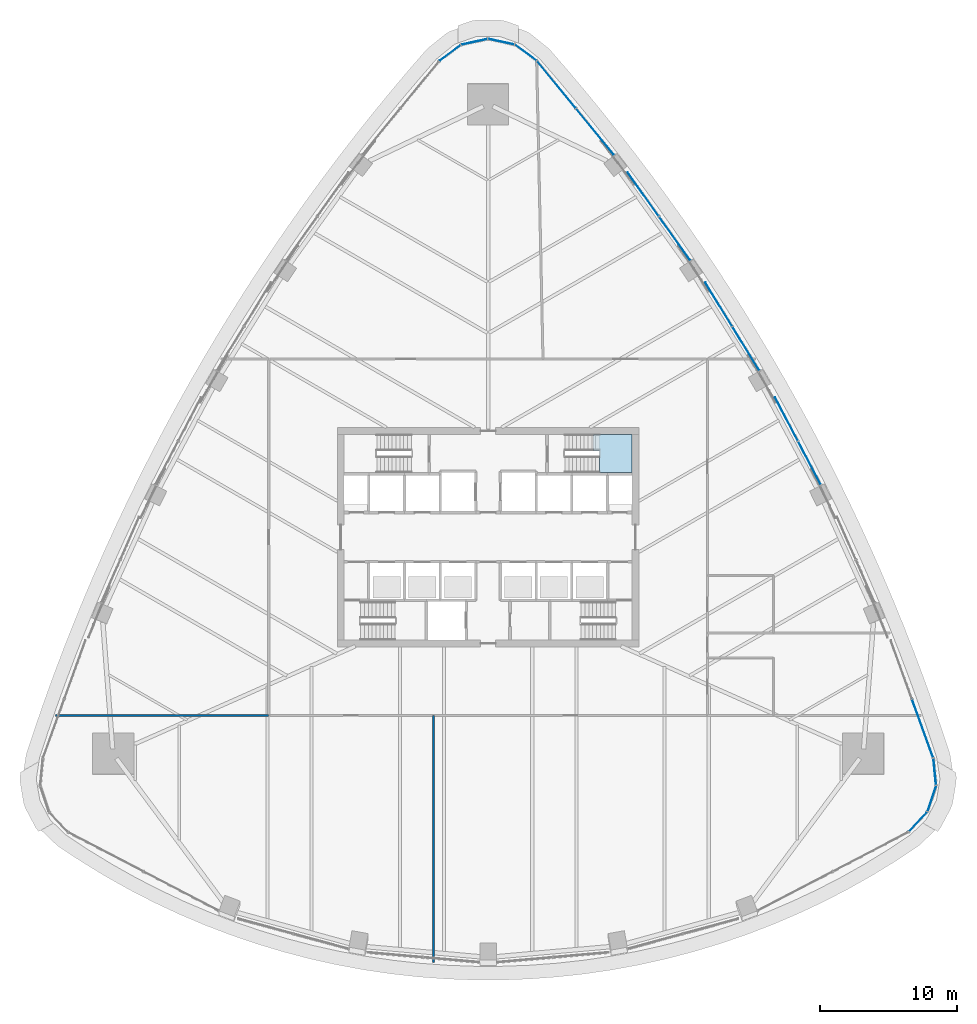
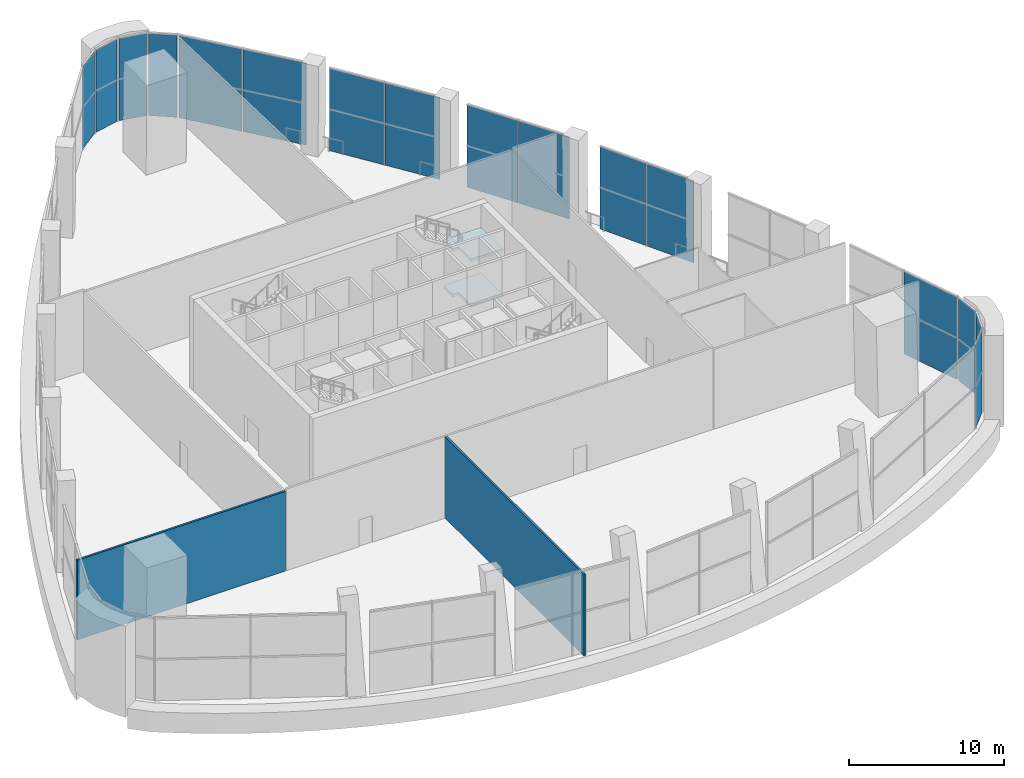
# One storey, part 12 of 23: 16 plates, 2 slabs, 2 walls, 13 elements without a shape of their own.
"""IFC4 building model written with IfcOpenShell, lengths in metres."""

import ifcopenshell
import ifcopenshell.guid

model = None  # the IFC model being written
_history = None  # IfcOwnerHistory: only IFC2X3 demands one
_inside = {}  # id of a spatial element -> (the spatial element, [elements in it])
_under = {}  # id of a project, library or spatial element -> (it, [spatial elements below it])
_declared = {}  # id of a project -> (the project, [libraries it declares])
_typed = {}  # id of a type object -> (the type object, [elements of that type])
_made_of = {}  # id of a material, layer set ... -> (it, [elements and type objects made of it])


def new_model(schema):
    """Start an empty IFC model of exactly this schema.

    Asked for "IFC4X3", IfcOpenShell would pick the latest addendum, in which some entities
    have other attributes; the version numbers below select the first issue.
    IFC2X3 requires an IfcOwnerHistory on every rooted entity: one is made here for all.
    """
    global model, _history
    if schema == "IFC4X3":
        model = ifcopenshell.file(schema_version=(4, 3, 0, 0))
    else:
        model = ifcopenshell.file(schema=schema)
    _inside.clear()
    _under.clear()
    _declared.clear()
    _typed.clear()
    _made_of.clear()
    _history = None
    if model.schema == "IFC2X3":
        org = make("IfcOrganization", Name="unknown")
        user = make(
            "IfcPersonAndOrganization",
            ThePerson=make("IfcPerson", FamilyName="unknown"),
            TheOrganization=org,
        )
        app = make(
            "IfcApplication",
            ApplicationDeveloper=org,
            Version="unknown",
            ApplicationFullName="unknown",
            ApplicationIdentifier="unknown",
        )
        _history = make(
            "IfcOwnerHistory",
            OwningUser=user,
            OwningApplication=app,
            ChangeAction="ADDED",
            CreationDate=0,
        )
    return model


def make(cls, **values):
    """One entity of the class cls with the attributes given. An attribute that is None is left unset."""
    return model.create_entity(
        cls, **{name: value for name, value in values.items() if value is not None}
    )


def rooted(cls, **values):
    """An entity with a GlobalId (a new one), such as an element, a storey or a relation."""
    return make(cls, GlobalId=ifcopenshell.guid.new(), OwnerHistory=_history, **values)


def si_unit(unit_type, name, prefix=None):
    """IfcSIUnit, for example si_unit("LENGTHUNIT", "METRE", prefix="MILLI")."""
    return make("IfcSIUnit", UnitType=unit_type, Prefix=prefix, Name=name)


def assignment(units):
    """IfcUnitAssignment: the units of a project."""
    return None if units is None else make("IfcUnitAssignment", Units=units)


def point(xyz):
    """IfcCartesianPoint."""
    return None if xyz is None else make("IfcCartesianPoint", Coordinates=xyz)


def direction(xyz):
    """IfcDirection."""
    return None if xyz is None else make("IfcDirection", DirectionRatios=xyz)


def frame(location, z_axis=None, x_axis=None):
    """IfcAxis2Placement3D, a coordinate frame: its origin and axes. An axis left out is left unset."""
    return make(
        "IfcAxis2Placement3D",
        Location=point(location),
        Axis=direction(z_axis),
        RefDirection=direction(x_axis),
    )


def frame_2d(location, x_axis=None):
    """IfcAxis2Placement2D, a coordinate frame in the plane: its origin and x axis."""
    return make(
        "IfcAxis2Placement2D", Location=point(location), RefDirection=direction(x_axis)
    )


def origin():
    """The frame at (0, 0, 0) with its axes left unset."""
    return frame((0.0, 0.0, 0.0))


def origin_2d():
    """The frame at (0, 0) in the plane with its x axis left unset."""
    return frame_2d((0.0, 0.0))


def place(relative_to, where):
    """IfcLocalPlacement: puts the frame where relative to a parent placement (None: the world)."""
    return make(
        "IfcLocalPlacement", PlacementRelTo=relative_to, RelativePlacement=where
    )


def context(
    kind, dimensions, precision=None, world=None, true_north=None, identifier=None
):
    """IfcGeometricRepresentationContext, for example the 3D "Model" context."""
    return make(
        "IfcGeometricRepresentationContext",
        ContextIdentifier=identifier,
        ContextType=kind,
        CoordinateSpaceDimension=dimensions,
        Precision=precision,
        WorldCoordinateSystem=world,
        TrueNorth=true_north,
    )


def subcontext(parent, identifier, kind, view, scale=None):
    """IfcGeometricRepresentationSubContext, for example "Body" below "Model"."""
    return make(
        "IfcGeometricRepresentationSubContext",
        ContextIdentifier=identifier,
        ContextType=kind,
        ParentContext=parent,
        TargetScale=scale,
        TargetView=view,
    )


def project(units=None, contexts=None):
    """IfcProject with its units and contexts."""
    return rooted(
        "IfcProject",
        Name="project",
        RepresentationContexts=contexts,
        UnitsInContext=assignment(units),
    )


def spatial(cls, under=None, at=None, **own):
    """A site, building, storey or space (cls), placed at a placement, below another one or the project."""
    s = rooted(cls, ObjectPlacement=at, **own)
    if under is not None:
        _under.setdefault(under.id(), (under, []))[1].append(s)
    return s


def polyline(points):
    """IfcPolyline through the points."""
    return make("IfcPolyline", Points=[point(p) for p in points])


def profile(cls, at=None, kind="AREA", **sizes):
    """A parametric profile (cls). Its sizes go by their IFC names, for example OverallWidth=200.0."""
    return make(cls, ProfileType=kind, Position=at, **sizes)


def rectangle(**sizes):
    """IfcRectangleProfileDef."""
    return profile("IfcRectangleProfileDef", **sizes)


def outline(outer, holes=None, kind="AREA"):
    """IfcArbitraryClosedProfileDef: a profile drawn as a closed curve; with holes, ...WithVoids."""
    if holes is None:
        return make("IfcArbitraryClosedProfileDef", ProfileType=kind, OuterCurve=outer)
    return make(
        "IfcArbitraryProfileDefWithVoids",
        ProfileType=kind,
        OuterCurve=outer,
        InnerCurves=holes,
    )


def extrude(swept, where, along, depth):
    """IfcExtrudedAreaSolid: the profile swept, set in the frame where, extruded along a direction by depth."""
    return make(
        "IfcExtrudedAreaSolid",
        SweptArea=swept,
        Position=where,
        ExtrudedDirection=direction(along),
        Depth=depth,
    )


def shape(context_of_items, identifier, shape_type, items):
    """IfcShapeRepresentation: the items that make up one representation, for example the "Body"."""
    return make(
        "IfcShapeRepresentation",
        ContextOfItems=context_of_items,
        RepresentationIdentifier=identifier,
        RepresentationType=shape_type,
        Items=items,
    )


def material(Name=None, Category=None):
    """IfcMaterial."""
    return make("IfcMaterial", Name=Name, Category=Category)


def layer(
    of_material, thickness, ventilated=None, Name=None, Category=None, Priority=None
):
    """IfcMaterialLayer: one layer of a wall or slab, of a material (None: an air gap)."""
    return make(
        "IfcMaterialLayer",
        Material=of_material,
        LayerThickness=thickness,
        IsVentilated=ventilated,
        Name=Name,
        Category=Category,
        Priority=Priority,
    )


def layer_set(layers, Name=None):
    """IfcMaterialLayerSet."""
    return make("IfcMaterialLayerSet", MaterialLayers=layers, LayerSetName=Name)


def made_of(thing, what):
    """Note that an element or type object is made of a material, layer set ...; save() writes the relation."""
    if what is not None:
        _made_of.setdefault(what.id(), (what, []))[1].append(thing)
    return thing


def type_object(cls, material=None, **own):
    """A type object (cls), such as IfcWallType, which elements share."""
    return made_of(rooted(cls, **own), material)


def element(
    cls,
    number,
    at=None,
    inside=None,
    cuts=None,
    type_object=None,
    material=None,
    context=None,
    identifier="Body",
    shape_type=None,
    held_by="IfcProductDefinitionShape",
    body=None,
    shapes=None,
    **own,
):
    """One element of the class cls, such as IfcWall. Its Tag is "e" and its number.

    at: its placement. inside: the storey or other place that contains it. cuts: it is an
    opening in that element (IfcRelVoidsElement). A single representation is given by context,
    identifier, shape_type and body (its items); several are given by shapes. held_by: the class
    of the entity that holds the representations. save() writes the other relations.
    """
    e = rooted(cls, Tag="e%d" % number, ObjectPlacement=at, **own)
    if body is not None:
        shapes = [shape(context, identifier, shape_type, body)]
    if shapes is not None:
        e.Representation = make(held_by, Representations=shapes)
    if inside is not None:
        _inside.setdefault(inside.id(), (inside, []))[1].append(e)
    if cuts is not None:
        rooted(
            "IfcRelVoidsElement", RelatingBuildingElement=cuts, RelatedOpeningElement=e
        )
    if type_object is not None:
        _typed.setdefault(type_object.id(), (type_object, []))[1].append(e)
    return made_of(e, material)


def aggregate(whole, parts):
    """IfcRelAggregates: a whole, such as a stair, and the parts it consists of."""
    return rooted("IfcRelAggregates", RelatingObject=whole, RelatedObjects=parts)


def save(model, path):
    """Write the relations noted so far, then the file.

    IfcRelAggregates (storeys below a building ...), IfcRelContainedInSpatialStructure (elements
    in a storey), IfcRelDefinesByType, IfcRelAssociatesMaterial and IfcRelDeclares: one each for
    every whole, place, type object, material and project.
    """
    for whole, parts in _under.values():
        aggregate(whole, parts)
    for where, things in _inside.values():
        rooted(
            "IfcRelContainedInSpatialStructure",
            RelatedElements=things,
            RelatingStructure=where,
        )
    for kind, things in _typed.values():
        rooted("IfcRelDefinesByType", RelatedObjects=things, RelatingType=kind)
    for what, things in _made_of.values():
        rooted("IfcRelAssociatesMaterial", RelatedObjects=things, RelatingMaterial=what)
    for by, libraries in _declared.values():
        rooted("IfcRelDeclares", RelatingContext=by, RelatedDefinitions=libraries)
    model.write(path)


model = new_model("IFC4")

# Units and contexts
model_context = context("Model", 3, precision=1e-05, world=origin(), true_north=direction((0.0, 1.0)))
body_context = subcontext(model_context, "Body", "Model", "MODEL_VIEW")
ifc_project = project(units=[si_unit("LENGTHUNIT", "METRE"), si_unit("AREAUNIT", "SQUARE_METRE"), si_unit("VOLUMEUNIT", "CUBIC_METRE"), si_unit("PLANEANGLEUNIT", "RADIAN"), si_unit("MASSUNIT", "GRAM", prefix="KILO")], contexts=[model_context])

# Site, building, storey
site_placement = place(None, origin())
site = spatial("IfcSite", under=ifc_project, at=site_placement, CompositionType="ELEMENT")
building_placement = place(site_placement, origin())
building = spatial("IfcBuilding", under=site, at=building_placement, Name="Sierra Prisma Convention Tower", CompositionType="ELEMENT")
storey_placement = place(building_placement, frame((0.0, 0.0, 40.800048828125)))
storey = spatial("IfcBuildingStorey", under=building, at=storey_placement, Name="L06", CompositionType="ELEMENT", Elevation=40.800048828125)

# Curtain wall, plate
ifc_material_1 = material(Name="Aluminium and glass curtain wall", Category="aluminium")
ifc_layer_1 = layer(ifc_material_1, 0.179931640625)
ifc_layer_set_1 = layer_set([ifc_layer_1], Name="CW-4 Sky lobby double-height curtain wall")
curtain_wall_type = type_object("IfcCurtainWallType", Name="CW-4 Sky lobby double-height curtain wall", PredefinedType="NOTDEFINED", material=ifc_layer_set_1)
curtain_wall_1_placement = place(storey_placement, origin())
curtain_wall_1 = element("IfcCurtainWall", 1, at=curtain_wall_1_placement, inside=storey, type_object=curtain_wall_type, Name="CW-4 SE1 L06", PredefinedType="NOTDEFINED")
ifc_material_2 = material(Name="Tinted glass bronze-grey IGU", Category="glass")
ifc_layer_2 = layer(ifc_material_2, 0.035888671875)
ifc_layer_set_2 = layer_set([ifc_layer_2], Name="CW-4 glass panel")
plate_type = type_object("IfcPlateType", Name="CW-4 glass panel", PredefinedType="CURTAIN_PANEL", material=ifc_layer_set_2)
plate_1_placement = place(storey_placement, frame((31.33642578125, -20.77392578125, 0.0), z_axis=(0.0, 0.0, 1.0), x_axis=(0.684399691573, 0.729107030671, 0.0)))
plate_1 = element("IfcPlate", 2, at=plate_1_placement, type_object=plate_type, Name="CW-4 panel SE1.1", PredefinedType="CURTAIN_PANEL", context=body_context, shape_type="SweptSolid", body=[
    extrude(rectangle(XDim=1.87109375, YDim=0.035888671875, at=origin_2d()), origin(), (0.0, 0.0, 1.0), 6.47998046875),
])
aggregate(curtain_wall_1, [plate_1])

curtain_wall_2_placement = place(storey_placement, origin())
curtain_wall_2 = element("IfcCurtainWall", 3, at=curtain_wall_2_placement, inside=storey, type_object=curtain_wall_type, Name="CW-4 SE2 L06", PredefinedType="NOTDEFINED")
plate_2_placement = place(storey_placement, frame((32.347900390625, -19.088623046875, 0.0), z_axis=(0.0, 0.0, 1.0), x_axis=(0.321361109945, 0.94695672394, 0.0)))
plate_2 = element("IfcPlate", 4, at=plate_2_placement, type_object=plate_type, Name="CW-4 panel SE2.1", PredefinedType="CURTAIN_PANEL", context=body_context, shape_type="SweptSolid", body=[
    extrude(rectangle(XDim=1.87109375, YDim=0.035888671875, at=origin_2d()), origin(), (0.0, 0.0, 1.0), 6.47998046875),
])
aggregate(curtain_wall_2, [plate_2])

curtain_wall_3_placement = place(storey_placement, origin())
curtain_wall_3 = element("IfcCurtainWall", 5, at=curtain_wall_3_placement, inside=storey, type_object=curtain_wall_type, Name="CW-4 SE3 L06", PredefinedType="NOTDEFINED")
plate_3_placement = place(storey_placement, frame((32.5712890625, -17.1357421875, 0.0), z_axis=(0.0, 0.0, 1.0), x_axis=(-0.099283218322, 0.995059215605, 0.0)))
plate_3 = element("IfcPlate", 6, at=plate_3_placement, type_object=plate_type, Name="CW-4 panel SE3.1", PredefinedType="CURTAIN_PANEL", context=body_context, shape_type="SweptSolid", body=[
    extrude(rectangle(XDim=1.87109375, YDim=0.035888671875, at=origin_2d()), origin(), (0.0, 0.0, 1.0), 6.47998046875),
])
aggregate(curtain_wall_3, [plate_3])

curtain_wall_4_placement = place(storey_placement, origin())
curtain_wall_4 = element("IfcCurtainWall", 7, at=curtain_wall_4_placement, inside=storey, type_object=curtain_wall_type, Name="CW-4 NE1 L06", PredefinedType="NOTDEFINED")
plate_4_placement = place(storey_placement, frame((31.682373046875, -13.951904296875, 0.0), z_axis=(0.0, 0.0, 1.0), x_axis=(-0.339853190115, 0.94047850011, 0.0)))
plate_4 = element("IfcPlate", 8, at=plate_4_placement, type_object=plate_type, Name="CW-4 panel NE1.1", PredefinedType="CURTAIN_PANEL", context=body_context, shape_type="SweptSolid", body=[
    extrude(rectangle(XDim=4.502685546875, YDim=0.035888671875, at=origin_2d()), origin(), (0.0, 0.0, 1.0), 6.47998046875),
])
aggregate(curtain_wall_4, [plate_4])

# Curtain wall, plates
curtain_wall_5_placement = place(storey_placement, origin())
curtain_wall_5 = element("IfcCurtainWall", 9, at=curtain_wall_5_placement, inside=storey, type_object=curtain_wall_type, Name="CW-4 NE3 L06", PredefinedType="NOTDEFINED")
plate_5_placement = place(storey_placement, frame((23.43701171875, 5.404541015625, 0.0), z_axis=(0.0, 0.0, 1.0), x_axis=(-0.464250898742, 0.885703733207, 0.0)))
plate_5 = element("IfcPlate", 10, at=plate_5_placement, type_object=plate_type, Name="CW-4 panel NE3.1", PredefinedType="CURTAIN_PANEL", context=body_context, shape_type="SweptSolid", body=[
    extrude(rectangle(XDim=3.54736328125, YDim=0.035888671875, at=origin_2d()), origin(), (0.0, 0.0, 1.0), 6.47998046875),
])
plate_6_placement = place(storey_placement, frame((21.757568359375, 8.6083984375, 0.0), z_axis=(0.0, 0.0, 1.0), x_axis=(-0.464250898742, 0.885703733207, 0.0)))
plate_6 = element("IfcPlate", 11, at=plate_6_placement, type_object=plate_type, Name="CW-4 panel NE3.2", PredefinedType="CURTAIN_PANEL", context=body_context, shape_type="SweptSolid", body=[
    extrude(rectangle(XDim=3.54736328125, YDim=0.035888671875, at=origin_2d()), origin(), (0.0, 0.0, 1.0), 6.47998046875),
])
aggregate(curtain_wall_5, [plate_5, plate_6])

curtain_wall_6_placement = place(storey_placement, origin())
curtain_wall_6 = element("IfcCurtainWall", 12, at=curtain_wall_6_placement, inside=storey, type_object=curtain_wall_type, Name="CW-4 NE4 L06", PredefinedType="NOTDEFINED")
plate_7_placement = place(storey_placement, frame((18.802734375, 13.73681640625, 0.0), z_axis=(0.0, 0.0, 1.0), x_axis=(-0.523371283962, 0.852104746568, 0.0)))
plate_7 = element("IfcPlate", 13, at=plate_7_placement, type_object=plate_type, Name="CW-4 panel NE4.1", PredefinedType="CURTAIN_PANEL", context=body_context, shape_type="SweptSolid", body=[
    extrude(rectangle(XDim=3.7314453125, YDim=0.035888671875, at=origin_2d()), origin(), (0.0, 0.0, 1.0), 6.47998046875),
])
plate_8_placement = place(storey_placement, frame((16.813232421875, 16.97607421875, 0.0), z_axis=(0.0, 0.0, 1.0), x_axis=(-0.523371283962, 0.852104746568, 0.0)))
plate_8 = element("IfcPlate", 14, at=plate_8_placement, type_object=plate_type, Name="CW-4 panel NE4.2", PredefinedType="CURTAIN_PANEL", context=body_context, shape_type="SweptSolid", body=[
    extrude(rectangle(XDim=3.7314453125, YDim=0.035888671875, at=origin_2d()), origin(), (0.0, 0.0, 1.0), 6.47998046875),
])
aggregate(curtain_wall_6, [plate_7, plate_8])

curtain_wall_7_placement = place(storey_placement, origin())
curtain_wall_7 = element("IfcCurtainWall", 15, at=curtain_wall_7_placement, inside=storey, type_object=curtain_wall_type, Name="CW-4 NE5 L06", PredefinedType="NOTDEFINED")
plate_9_placement = place(storey_placement, frame((13.612548828125, 21.767578125, 0.0), z_axis=(0.0, 0.0, 1.0), x_axis=(-0.580071541824, 0.814565532272, 0.0)))
plate_9 = element("IfcPlate", 16, at=plate_9_placement, type_object=plate_type, Name="CW-4 panel NE5.1", PredefinedType="CURTAIN_PANEL", context=body_context, shape_type="SweptSolid", body=[
    extrude(rectangle(XDim=3.897216796875, YDim=0.035888671875, at=origin_2d()), origin(), (0.0, 0.0, 1.0), 6.47998046875),
])
plate_10_placement = place(storey_placement, frame((11.311279296875, 24.9990234375, 0.0), z_axis=(0.0, 0.0, 1.0), x_axis=(-0.580071541824, 0.814565532272, 0.0)))
plate_10 = element("IfcPlate", 17, at=plate_10_placement, type_object=plate_type, Name="CW-4 panel NE5.2", PredefinedType="CURTAIN_PANEL", context=body_context, shape_type="SweptSolid", body=[
    extrude(rectangle(XDim=3.897216796875, YDim=0.035888671875, at=origin_2d()), origin(), (0.0, 0.0, 1.0), 6.47998046875),
])
aggregate(curtain_wall_7, [plate_9, plate_10])

curtain_wall_8_placement = place(storey_placement, origin())
curtain_wall_8 = element("IfcCurtainWall", 18, at=curtain_wall_8_placement, inside=storey, type_object=curtain_wall_type, Name="CW-4 NE6 L06", PredefinedType="NOTDEFINED")
plate_11_placement = place(storey_placement, frame((7.802978515625, 29.55810546875, 0.0), z_axis=(0.0, 0.0, 1.0), x_axis=(-0.634089483996, 0.773259675844, 0.0)))
plate_11 = element("IfcPlate", 19, at=plate_11_placement, type_object=plate_type, Name="CW-4 panel NE6.1", PredefinedType="CURTAIN_PANEL", context=body_context, shape_type="SweptSolid", body=[
    extrude(rectangle(XDim=4.35888671875, YDim=0.035888671875, at=origin_2d()), origin(), (0.0, 0.0, 1.0), 6.47998046875),
])
plate_12_placement = place(storey_placement, frame((4.994873046875, 32.982666015625, 0.0), z_axis=(0.0, 0.0, 1.0), x_axis=(-0.634089483996, 0.773259675844, 0.0)))
plate_12 = element("IfcPlate", 20, at=plate_12_placement, type_object=plate_type, Name="CW-4 panel NE6.2", PredefinedType="CURTAIN_PANEL", context=body_context, shape_type="SweptSolid", body=[
    extrude(rectangle(XDim=4.35888671875, YDim=0.035888671875, at=origin_2d()), origin(), (0.0, 0.0, 1.0), 6.47998046875),
])
aggregate(curtain_wall_8, [plate_11, plate_12])

# Curtain wall, plate
curtain_wall_9_placement = place(storey_placement, origin())
curtain_wall_9 = element("IfcCurtainWall", 21, at=curtain_wall_9_placement, inside=storey, type_object=curtain_wall_type, Name="CW-4 N1 L06", PredefinedType="NOTDEFINED")
plate_13_placement = place(storey_placement, frame((2.763427734375, 35.318115234375, 0.0), z_axis=(0.0, 0.0, 1.0), x_axis=(-0.803604578401, 0.595163575476, 0.0)))
plate_13 = element("IfcPlate", 22, at=plate_13_placement, type_object=plate_type, Name="CW-4 panel N1.1", PredefinedType="CURTAIN_PANEL", context=body_context, shape_type="SweptSolid", body=[
    extrude(rectangle(XDim=1.863525390625, YDim=0.035888671875, at=origin_2d()), origin(), (0.0, 0.0, 1.0), 6.47998046875),
])
aggregate(curtain_wall_9, [plate_13])

curtain_wall_10_placement = place(storey_placement, origin())
curtain_wall_10 = element("IfcCurtainWall", 23, at=curtain_wall_10_placement, inside=storey, type_object=curtain_wall_type, Name="CW-4 N2 L06", PredefinedType="NOTDEFINED")
plate_14_placement = place(storey_placement, frame((0.979248046875, 36.125732421875, 0.0), z_axis=(0.0, 0.0, 1.0), x_axis=(-0.977508875421, 0.210894282696, 0.0)))
plate_14 = element("IfcPlate", 24, at=plate_14_placement, type_object=plate_type, Name="CW-4 panel N2.1", PredefinedType="CURTAIN_PANEL", context=body_context, shape_type="SweptSolid", body=[
    extrude(rectangle(XDim=1.863525390625, YDim=0.035888671875, at=origin_2d()), origin(), (0.0, 0.0, 1.0), 6.47998046875),
])
aggregate(curtain_wall_10, [plate_14])

curtain_wall_11_placement = place(storey_placement, origin())
curtain_wall_11 = element("IfcCurtainWall", 25, at=curtain_wall_11_placement, inside=storey, type_object=curtain_wall_type, Name="CW-4 N3 L06", PredefinedType="NOTDEFINED")
plate_15_placement = place(storey_placement, frame((-0.979248046875, 36.125732421875, 0.0), z_axis=(0.0, 0.0, 1.0), x_axis=(-0.977508875421, -0.210894282696, 0.0)))
plate_15 = element("IfcPlate", 26, at=plate_15_placement, type_object=plate_type, Name="CW-4 panel N3.1", PredefinedType="CURTAIN_PANEL", context=body_context, shape_type="SweptSolid", body=[
    extrude(rectangle(XDim=1.863525390625, YDim=0.035888671875, at=origin_2d()), origin(), (0.0, 0.0, 1.0), 6.47998046875),
])
aggregate(curtain_wall_11, [plate_15])

curtain_wall_12_placement = place(storey_placement, origin())
curtain_wall_12 = element("IfcCurtainWall", 27, at=curtain_wall_12_placement, inside=storey, type_object=curtain_wall_type, Name="CW-4 N4 L06", PredefinedType="NOTDEFINED")
plate_16_placement = place(storey_placement, frame((-2.763427734375, 35.318115234375, 0.0), z_axis=(0.0, 0.0, 1.0), x_axis=(-0.803604578401, -0.595163575476, 0.0)))
plate_16 = element("IfcPlate", 28, at=plate_16_placement, type_object=plate_type, Name="CW-4 panel N4.1", PredefinedType="CURTAIN_PANEL", context=body_context, shape_type="SweptSolid", body=[
    extrude(rectangle(XDim=1.863525390625, YDim=0.035888671875, at=origin_2d()), origin(), (0.0, 0.0, 1.0), 6.47998046875),
])
aggregate(curtain_wall_12, [plate_16])

# Stair, slabs
ifc_material_3 = material(Name="Concrete C30/37", Category="concrete")
stair_type = type_object("IfcStairType", Name="Stair dog-leg 1200 RC", PredefinedType="HALF_TURN_STAIR", material=ifc_material_3)
stair_placement = place(storey_placement, origin())
stair = element("IfcStair", 29, at=stair_placement, inside=storey, type_object=stair_type, Name="L06 S4", PredefinedType="HALF_TURN_STAIR")
ifc_material_4 = material(Name="Concrete C35/45", Category="concrete")
ifc_layer_3 = layer(ifc_material_4, 0.199951171875)
ifc_layer_set_3 = layer_set([ifc_layer_3], Name="Stair landing slab")
slab_type = type_object("IfcSlabType", Name="Stair landing slab", PredefinedType="LANDING", material=ifc_layer_set_3)
slab_1_placement = place(storey_placement, frame((0.0, 0.0, 1.599853515625)))
slab_1 = element("IfcSlab", 30, at=slab_1_placement, type_object=slab_type, Name="S4 landing 1", PredefinedType="LANDING", context=body_context, shape_type="SweptSolid", body=[
    extrude(outline(polyline([(10.5, 7.5), (10.5, 4.699951171875), (8.117919921875, 4.699951171875), (8.117919921875, 6.300048828125), (7.669921875, 6.300048828125), (7.669921875, 7.5), (10.5, 7.5)])), origin(), (0.0, 0.0, 1.0), 0.2001953125),
])
slab_2_placement = place(storey_placement, frame((0.0, 0.0, 5.199951171875)))
slab_2 = element("IfcSlab", 31, at=slab_2_placement, type_object=slab_type, Name="S4 landing 3", PredefinedType="LANDING", context=body_context, shape_type="SweptSolid", body=[
    extrude(outline(polyline([(10.5, 7.5), (10.5, 4.699951171875), (8.117919921875, 4.699951171875), (8.117919921875, 6.300048828125), (7.669921875, 6.300048828125), (7.669921875, 7.5), (10.5, 7.5)])), origin(), (0.0, 0.0, 1.0), 0.199951171875),
])
aggregate(stair, [slab_1, slab_2])

# Walls
ifc_material_5 = material(Name="Gypsum board partition", Category="gypsum")
ifc_layer_4 = layer(ifc_material_5, 0.14990234375)
ifc_layer_set_4 = layer_set([ifc_layer_4], Name="Party wall 150 gypsum")
wall_type = type_object("IfcWallType", Name="Party wall 150 gypsum", PredefinedType="PARTITIONING", material=ifc_layer_set_4)
wall_1_placement = place(storey_placement, frame((-16.0, -13.0, 0.0), z_axis=(0.0, 0.0, 1.0), x_axis=(-1.0, 0.0, 0.0)))
element("IfcWall", 32, at=wall_1_placement, inside=storey, type_object=wall_type, Name="Partition L06 party 1", PredefinedType="PARTITIONING", context=body_context, shape_type="SweptSolid", body=[
    extrude(rectangle(XDim=15.55224609375, YDim=0.14990234375, at=frame_2d((7.776123046875, 0.0))), origin(), (0.0, 0.0, 1.0), 6.296875),
])
wall_2_placement = place(storey_placement, frame((-4.0, -13.0, 0.0), z_axis=(0.0, 0.0, 1.0), x_axis=(0.0, -1.0, 0.0)))
element("IfcWall", 33, at=wall_2_placement, inside=storey, type_object=wall_type, Name="Partition L06 party 3", PredefinedType="PARTITIONING", context=body_context, shape_type="SweptSolid", body=[
    extrude(rectangle(XDim=18.02294921875, YDim=0.14990234375, at=frame_2d((9.011474609375, 0.0))), origin(), (0.0, 0.0, 1.0), 6.433837890625),
])

save(model, "model.ifc")
